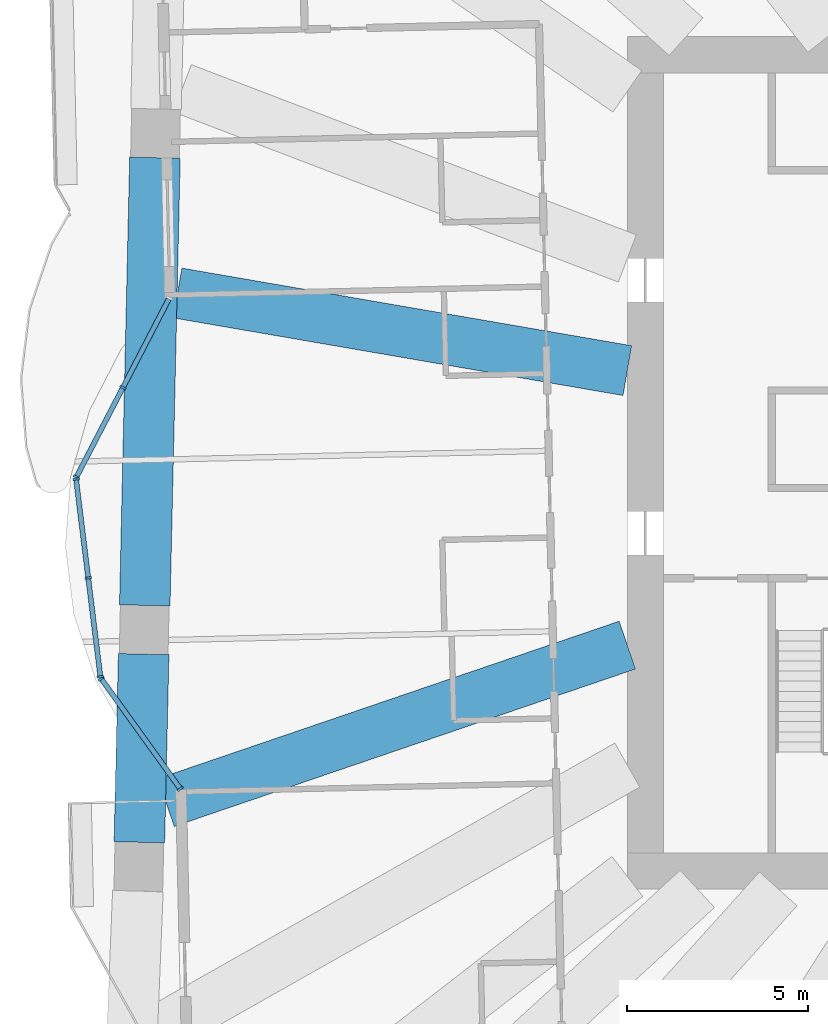
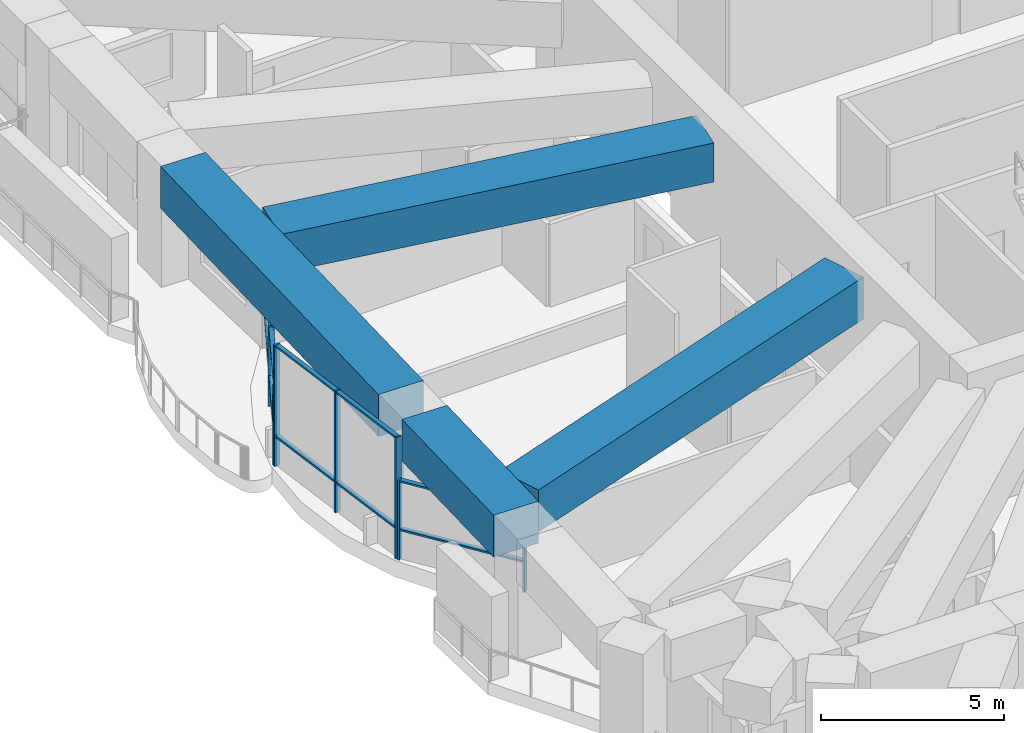
# One storey, part 2 of 21: 17 members, 4 beams, 3 elements without a shape of their own.
"""IFC4 building model written with IfcOpenShell, lengths in metres."""

from ifc_helpers import new_model, si_unit, direction, frame, origin, origin_2d, place, context, subcontext, project, spatial, rectangle, extrude, material, material_profile, profile_set, type_object, element, aggregate, save


model = new_model("IFC4")

# Units and contexts
model_context = context("Model", 3, precision=1e-05, world=origin(), true_north=direction((0.0, 1.0)))
body_context = subcontext(model_context, "Body", "Model", "MODEL_VIEW")
ifc_project = project(units=[si_unit("LENGTHUNIT", "METRE"), si_unit("AREAUNIT", "SQUARE_METRE"), si_unit("VOLUMEUNIT", "CUBIC_METRE"), si_unit("PLANEANGLEUNIT", "RADIAN"), si_unit("MASSUNIT", "GRAM", prefix="KILO")], contexts=[model_context])

# Site, building, storey
site_placement = place(None, origin())
site = spatial("IfcSite", under=ifc_project, at=site_placement, CompositionType="ELEMENT")
building_placement = place(site_placement, origin())
building = spatial("IfcBuilding", under=site, at=building_placement, Name="Mangrove Gate Tower", CompositionType="ELEMENT")
storey_placement = place(building_placement, frame((0.0, 0.0, 125.5)))
storey = spatial("IfcBuildingStorey", under=building, at=storey_placement, Name="L31", CompositionType="ELEMENT", Elevation=125.5)

# Curtain wall, members
ifc_material_1 = material(Name="Aluminium and glass curtain wall", Category="aluminium")
curtain_wall_type = type_object("IfcCurtainWallType", Name="Sky-lounge glazing wall", PredefinedType="NOTDEFINED", material=ifc_material_1)
curtain_wall_1_placement = place(storey_placement, origin())
curtain_wall_1 = element("IfcCurtainWall", 1, at=curtain_wall_1_placement, inside=storey, type_object=curtain_wall_type, Name="Sky-lounge glazing W9f1", PredefinedType="NOTDEFINED")
ifc_material_2 = material(Name="Aluminium alloy 6063-T6", Category="aluminium")
ifc_material_profile_1 = material_profile(ifc_material_2, rectangle(XDim=0.06005859375, YDim=0.179931640625, at=origin_2d()))
ifc_profile_set_1 = profile_set([ifc_material_profile_1], Name="Aluminium alloy 6063-T6")
member_type_1 = type_object("IfcMemberType", Name="Sky-lounge glazing mullion 60x180", PredefinedType="MULLION", material=ifc_profile_set_1)
member_1_placement = place(storey_placement, frame((-28.76953125, 2.08154296875, 0.0), z_axis=(0.0, 0.0, 1.0), x_axis=(-0.460628472466, -0.887593043209, 0.0)))
member_1 = element("IfcMember", 2, at=member_1_placement, type_object=member_type_1, Name="CWK mullion 2", PredefinedType="MULLION", context=body_context, shape_type="SweptSolid", body=[
    extrude(rectangle(XDim=0.06005859375, YDim=0.179931640625, at=origin_2d()), origin(), (0.0, 0.0, 1.0), 2.64990234375),
])
member_2_placement = place(storey_placement, frame((-30.054931640625, -0.3955078125, 0.0), z_axis=(0.0, 0.0, 1.0), x_axis=(-0.460628472466, -0.887593043209, 0.0)))
member_2 = element("IfcMember", 3, at=member_2_placement, type_object=member_type_1, Name="CWK mullion 3", PredefinedType="MULLION", context=body_context, shape_type="SweptSolid", body=[
    extrude(rectangle(XDim=0.06005859375, YDim=0.179931640625, at=origin_2d()), origin(), (0.0, 0.0, 1.0), 2.64990234375),
])

curtain_wall_2_placement = place(storey_placement, origin())
curtain_wall_2 = element("IfcCurtainWall", 4, at=curtain_wall_2_placement, inside=storey, type_object=curtain_wall_type, Name="Sky-lounge glazing W9f2", PredefinedType="NOTDEFINED")
member_3_placement = place(storey_placement, frame((-30.065185546875, -0.451904296875, 0.0), z_axis=(0.0, 0.0, 1.0), x_axis=(0.122172285885, -0.992508908051, 0.0)))
member_3 = element("IfcMember", 5, at=member_3_placement, type_object=member_type_1, Name="CWK mullion 1", PredefinedType="MULLION", context=body_context, shape_type="SweptSolid", body=[
    extrude(rectangle(XDim=0.06005859375, YDim=0.179931640625, at=origin_2d()), origin(), (0.0, 0.0, 1.0), 4.050048828125),
])
member_4_placement = place(storey_placement, frame((-29.728515625, -3.18798828125, 0.0), z_axis=(0.0, 0.0, 1.0), x_axis=(0.122172285885, -0.992508908051, 0.0)))
member_4 = element("IfcMember", 6, at=member_4_placement, type_object=member_type_1, Name="CWK mullion 2", PredefinedType="MULLION", context=body_context, shape_type="SweptSolid", body=[
    extrude(rectangle(XDim=0.06005859375, YDim=0.179931640625, at=origin_2d()), origin(), (0.0, 0.0, 1.0), 4.050048828125),
])
member_5_placement = place(storey_placement, frame((-29.3916015625, -5.924072265625, 0.0), z_axis=(0.0, 0.0, 1.0), x_axis=(0.122172285885, -0.992508908051, 0.0)))
member_5 = element("IfcMember", 7, at=member_5_placement, type_object=member_type_1, Name="CWK mullion 3", PredefinedType="MULLION", context=body_context, shape_type="SweptSolid", body=[
    extrude(rectangle(XDim=0.06005859375, YDim=0.179931640625, at=origin_2d()), origin(), (0.0, 0.0, 1.0), 4.050048828125),
])

curtain_wall_3_placement = place(storey_placement, origin())
curtain_wall_3 = element("IfcCurtainWall", 8, at=curtain_wall_3_placement, inside=storey, type_object=curtain_wall_type, Name="Sky-lounge glazing W9f3", PredefinedType="NOTDEFINED")
member_6_placement = place(storey_placement, frame((-29.370361328125, -5.978271484375, 0.0), z_axis=(0.0, 0.0, 1.0), x_axis=(0.583670260949, -0.811990779802, 0.0)))
member_6 = element("IfcMember", 9, at=member_6_placement, type_object=member_type_1, Name="CWK mullion 1", PredefinedType="MULLION", context=body_context, shape_type="SweptSolid", body=[
    extrude(rectangle(XDim=0.06005859375, YDim=0.179931640625, at=origin_2d()), origin(), (0.0, 0.0, 1.0), 2.64990234375),
])
member_7_placement = place(storey_placement, frame((-27.17822265625, -9.028076171875, 0.0), z_axis=(0.0, 0.0, 1.0), x_axis=(0.583670260949, -0.811990779802, 0.0)))
member_7 = element("IfcMember", 10, at=member_7_placement, type_object=member_type_1, Name="CWK mullion 2", PredefinedType="MULLION", context=body_context, shape_type="SweptSolid", body=[
    extrude(rectangle(XDim=0.06005859375, YDim=0.179931640625, at=origin_2d()), origin(), (0.0, 0.0, 1.0), 2.64990234375),
])

# Member
ifc_material_3 = material(Name="Aluminium alloy 6063-T6", Category="aluminium")
ifc_material_profile_2 = material_profile(ifc_material_3, rectangle(XDim=0.06005859375, YDim=0.139892578125, at=origin_2d()))
ifc_profile_set_2 = profile_set([ifc_material_profile_2], Name="Aluminium alloy 6063-T6")
member_type_2 = type_object("IfcMemberType", Name="Sky-lounge glazing transom 60x140", PredefinedType="USERDEFINED", material=ifc_profile_set_2)
member_8_placement = place(storey_placement, frame((-27.497802734375, 4.5322265625, 1.0), z_axis=(-0.460572868836, -0.887621897258, 0.0), x_axis=(0.0, 0.0, 1.0)))
member_8 = element("IfcMember", 11, at=member_8_placement, type_object=member_type_2, Name="CWK transom 1.2", ObjectType="TRANSOM", PredefinedType="USERDEFINED", context=body_context, shape_type="SweptSolid", body=[
    extrude(rectangle(XDim=0.06005859375, YDim=0.139892578125, at=origin_2d()), origin(), (0.0, 0.0, 1.0), 2.73095703125),
])

member_9_placement = place(storey_placement, frame((-27.497802734375, 4.5322265625, 2.6201171875), z_axis=(-0.460572868836, -0.887621897258, 0.0), x_axis=(0.0, 0.0, 1.0)))
member_9 = element("IfcMember", 12, at=member_9_placement, type_object=member_type_2, Name="CWK transom 1.3", ObjectType="TRANSOM", PredefinedType="USERDEFINED", context=body_context, shape_type="SweptSolid", body=[
    extrude(rectangle(XDim=0.06005859375, YDim=0.139892578125, at=origin_2d()), origin(), (0.0, 0.0, 1.0), 2.73095703125),
])

member_10_placement = place(storey_placement, frame((-28.783203125, 2.054931640625, 1.0), z_axis=(-0.460679849709, -0.887566378403, 0.0), x_axis=(0.0, 0.0, 1.0)))
member_10 = element("IfcMember", 13, at=member_10_placement, type_object=member_type_2, Name="CWK transom 2.2", ObjectType="TRANSOM", PredefinedType="USERDEFINED", context=body_context, shape_type="SweptSolid", body=[
    extrude(rectangle(XDim=0.06005859375, YDim=0.139892578125, at=origin_2d()), origin(), (0.0, 0.0, 1.0), 2.73095703125),
])

member_11_placement = place(storey_placement, frame((-28.783203125, 2.054931640625, 2.6201171875), z_axis=(-0.460679849709, -0.887566378403, 0.0), x_axis=(0.0, 0.0, 1.0)))
member_11 = element("IfcMember", 14, at=member_11_placement, type_object=member_type_2, Name="CWK transom 2.3", ObjectType="TRANSOM", PredefinedType="USERDEFINED", context=body_context, shape_type="SweptSolid", body=[
    extrude(rectangle(XDim=0.06005859375, YDim=0.139892578125, at=origin_2d()), origin(), (0.0, 0.0, 1.0), 2.73095703125),
])

aggregate(curtain_wall_1, [member_1, member_2, member_8, member_9, member_10, member_11])

member_12_placement = place(storey_placement, frame((-30.0615234375, -0.481689453125, 1.0), z_axis=(0.122129132669, -0.992514219018, 0.0), x_axis=(0.0, 0.0, 1.0)))
member_12 = element("IfcMember", 15, at=member_12_placement, type_object=member_type_2, Name="CWK transom 1.2", ObjectType="TRANSOM", PredefinedType="USERDEFINED", context=body_context, shape_type="SweptSolid", body=[
    extrude(rectangle(XDim=0.06005859375, YDim=0.139892578125, at=origin_2d()), origin(), (0.0, 0.0, 1.0), 2.69677734375),
])

member_13_placement = place(storey_placement, frame((-30.0615234375, -0.481689453125, 4.02001953125), z_axis=(0.122129132669, -0.992514219018, 0.0), x_axis=(0.0, 0.0, 1.0)))
member_13 = element("IfcMember", 16, at=member_13_placement, type_object=member_type_2, Name="CWK transom 1.3", ObjectType="TRANSOM", PredefinedType="USERDEFINED", context=body_context, shape_type="SweptSolid", body=[
    extrude(rectangle(XDim=0.06005859375, YDim=0.139892578125, at=origin_2d()), origin(), (0.0, 0.0, 1.0), 2.69677734375),
])

member_14_placement = place(storey_placement, frame((-29.724853515625, -3.2177734375, 1.0), z_axis=(0.122218313927, -0.992503241174, 0.0), x_axis=(0.0, 0.0, 1.0)))
member_14 = element("IfcMember", 17, at=member_14_placement, type_object=member_type_2, Name="CWK transom 2.2", ObjectType="TRANSOM", PredefinedType="USERDEFINED", context=body_context, shape_type="SweptSolid", body=[
    extrude(rectangle(XDim=0.06005859375, YDim=0.139892578125, at=origin_2d()), origin(), (0.0, 0.0, 1.0), 2.69677734375),
])

member_15_placement = place(storey_placement, frame((-29.724853515625, -3.2177734375, 4.02001953125), z_axis=(0.122218313927, -0.992503241174, 0.0), x_axis=(0.0, 0.0, 1.0)))
member_15 = element("IfcMember", 18, at=member_15_placement, type_object=member_type_2, Name="CWK transom 2.3", ObjectType="TRANSOM", PredefinedType="USERDEFINED", context=body_context, shape_type="SweptSolid", body=[
    extrude(rectangle(XDim=0.06005859375, YDim=0.139892578125, at=origin_2d()), origin(), (0.0, 0.0, 1.0), 2.69677734375),
])

aggregate(curtain_wall_2, [member_3, member_4, member_5, member_12, member_13, member_14, member_15])

member_16_placement = place(storey_placement, frame((-29.35302734375, -6.002685546875, 1.0), z_axis=(0.583728598012, -0.811948843132, 0.0), x_axis=(0.0, 0.0, 1.0)))
member_16 = element("IfcMember", 19, at=member_16_placement, type_object=member_type_2, Name="CWK transom 1.2", ObjectType="TRANSOM", PredefinedType="USERDEFINED", context=body_context, shape_type="SweptSolid", body=[
    extrude(rectangle(XDim=0.06005859375, YDim=0.139892578125, at=origin_2d()), origin(), (0.0, 0.0, 1.0), 3.696044921875),
])

member_17_placement = place(storey_placement, frame((-29.35302734375, -6.002685546875, 2.6201171875), z_axis=(0.583728598012, -0.811948843132, 0.0), x_axis=(0.0, 0.0, 1.0)))
member_17 = element("IfcMember", 20, at=member_17_placement, type_object=member_type_2, Name="CWK transom 1.3", ObjectType="TRANSOM", PredefinedType="USERDEFINED", context=body_context, shape_type="SweptSolid", body=[
    extrude(rectangle(XDim=0.06005859375, YDim=0.139892578125, at=origin_2d()), origin(), (0.0, 0.0, 1.0), 3.696044921875),
])

aggregate(curtain_wall_3, [member_6, member_7, member_16, member_17])

# Beams
ifc_material_4 = material(Name="Concrete C70/85", Category="concrete")
ifc_material_profile_3 = material_profile(ifc_material_4, rectangle(XDim=1.39990234375, YDim=1.300048828125, at=origin_2d()))
ifc_profile_set_3 = profile_set([ifc_material_profile_3], Name="Concrete C70/85")
beam_type_1 = type_object("IfcBeamType", Name="Transfer girder RC 1400x1300 C70/85", PredefinedType="BEAM", material=ifc_profile_set_3)
beam_1_placement = place(storey_placement, frame((-14.800048828125, 2.552490234375, 3.39990234375), z_axis=(-0.985447732681, 0.169978722651, 0.0), x_axis=(-0.169978722651, -0.985447732681, 0.0)))
element("IfcBeam", 21, at=beam_1_placement, inside=storey, type_object=beam_type_1, Name="Transfer girder L31 29", PredefinedType="BEAM", context=body_context, shape_type="SweptSolid", body=[
    extrude(rectangle(XDim=1.39990234375, YDim=1.300048828125, at=origin_2d()), origin(), (0.0, 0.0, 1.0), 12.637939453125),
])
ifc_material_5 = material(Name="Concrete C70/85", Category="concrete")
ifc_material_profile_4 = material_profile(ifc_material_5, rectangle(XDim=1.39990234375, YDim=1.39990234375, at=origin_2d()))
ifc_profile_set_4 = profile_set([ifc_material_profile_4], Name="Concrete C70/85")
beam_type_2 = type_object("IfcBeamType", Name="Transfer girder RC 1400x1400 C70/85", PredefinedType="BEAM", material=ifc_profile_set_4)
beam_2_placement = place(storey_placement, frame((-28.193603515625, -5.299072265625, 3.35009765625), z_axis=(-0.02267245742, -0.999742946799, 0.0), x_axis=(0.999742946799, -0.02267245742, 0.0)))
element("IfcBeam", 22, at=beam_2_placement, inside=storey, type_object=beam_type_2, Name="Transfer ring girder L31 00", PredefinedType="BEAM", context=body_context, shape_type="SweptSolid", body=[
    extrude(rectangle(XDim=1.39990234375, YDim=1.39990234375, at=origin_2d()), origin(), (0.0, 0.0, 1.0), 5.211669921875),
])
beam_3_placement = place(storey_placement, frame((-27.881591796875, 8.44775390625, 3.35009765625), z_axis=(-0.022680707756, -0.999742759662, 0.0), x_axis=(0.999742759662, -0.022680707756, 0.0)))
element("IfcBeam", 23, at=beam_3_placement, inside=storey, type_object=beam_type_2, Name="Transfer ring girder L31 31", PredefinedType="BEAM", context=body_context, shape_type="SweptSolid", body=[
    extrude(rectangle(XDim=1.39990234375, YDim=1.39990234375, at=origin_2d()), origin(), (0.0, 0.0, 1.0), 12.400390625),
])
beam_4_placement = place(storey_placement, frame((-14.800048828125, -5.0498046875, 3.35009765625), z_axis=(-0.946421881943, -0.32293284345, 0.0), x_axis=(0.32293284345, -0.946421881943, 0.0)))
element("IfcBeam", 24, at=beam_4_placement, inside=storey, type_object=beam_type_2, Name="Transfer girder L31 00", PredefinedType="BEAM", context=body_context, shape_type="SweptSolid", body=[
    extrude(rectangle(XDim=1.39990234375, YDim=1.39990234375, at=origin_2d()), origin(), (0.0, 0.0, 1.0), 13.496337890625),
])

save(model, "model.ifc")
